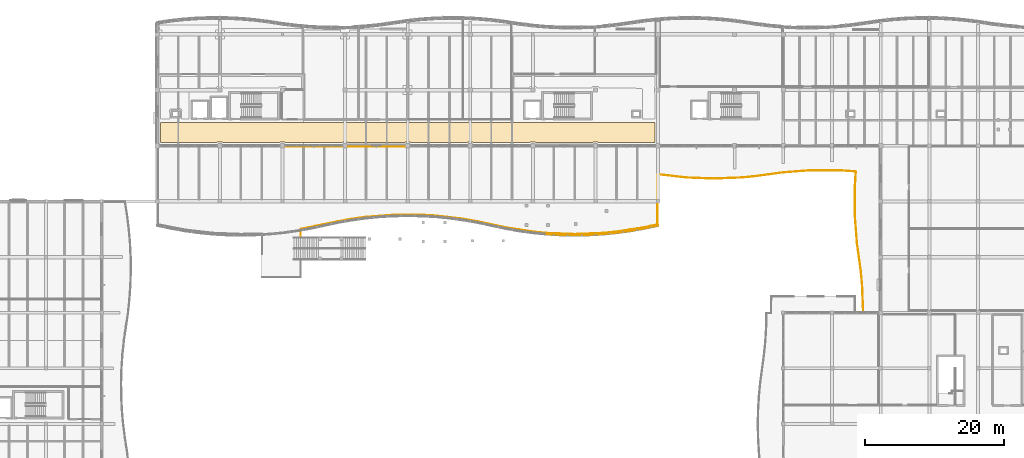
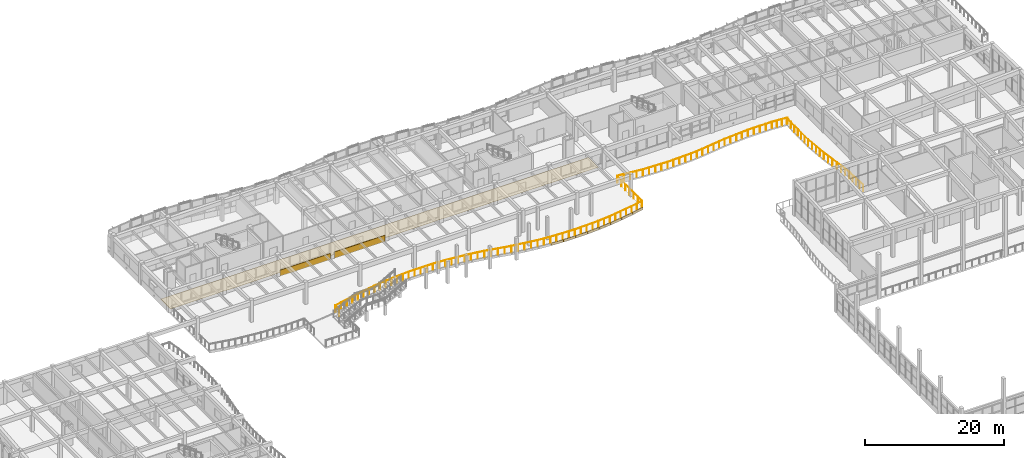
# One storey, part 83 of 89: 11 coverings, 1 railing.
"""IFC4 building model written with IfcOpenShell, lengths in metres."""

from ifc_helpers import new_model, si_unit, direction, frame, origin, origin_2d, place, context, subcontext, project, spatial, polyline, circle, outline, extrude, material, layer, layer_set, type_object, element, save


model = new_model("IFC4")

# Units and contexts
model_context = context("Model", 3, precision=1e-05, world=origin(), true_north=direction((0.0, 1.0)))
body_context = subcontext(model_context, "Body", "Model", "MODEL_VIEW")
ifc_project = project(units=[si_unit("LENGTHUNIT", "METRE"), si_unit("AREAUNIT", "SQUARE_METRE"), si_unit("VOLUMEUNIT", "CUBIC_METRE"), si_unit("PLANEANGLEUNIT", "RADIAN"), si_unit("MASSUNIT", "GRAM", prefix="KILO")], contexts=[model_context])

# Site, building, storey
site_placement = place(None, origin())
site = spatial("IfcSite", under=ifc_project, at=site_placement, CompositionType="ELEMENT")
building_placement = place(site_placement, origin())
building = spatial("IfcBuilding", under=site, at=building_placement, Name="Tonlespit Floodbar School", CompositionType="ELEMENT")
storey_placement = place(building_placement, frame((0.0, 0.0, 4.5)))
storey = spatial("IfcBuildingStorey", under=building, at=storey_placement, Name="L01", CompositionType="ELEMENT", Elevation=4.5)

# Railing
ifc_material_1 = material(Name="Galvanised Steel", Category="steel")
railing_type = type_object("IfcRailingType", Name="Balustrade_Ext_1150", PredefinedType="BALUSTRADE", material=ifc_material_1)
railing_placement = place(storey_placement, frame((145.489501953125, 80.25244140625, 0.0)))
element("IfcRailing", 1, at=railing_placement, inside=storey, type_object=railing_type, Name="L01 terrace balustrade 006", PredefinedType="BALUSTRADE", context=body_context, shape_type="SweptSolid", body=[
    extrude(circle(Radius=0.02392578125, at=origin_2d()), frame((0.0, 0.0, 1.1259765625), z_axis=(-0.038510568986, 0.999258192899, 0.0), x_axis=(-0.999258192899, -0.038510568986, 0.0)), (0.0, 0.0, 1.0), 3.7529296875),
    extrude(circle(Radius=0.02392578125, at=origin_2d()), frame((-0.14453125, 3.750244140625, 1.1259765625), z_axis=(-0.095998795483, 0.995381450131, 0.0), x_axis=(-0.995381450131, -0.095998795483, 0.0)), (0.0, 0.0, 1.0), 2.01416015625),
    extrude(circle(Radius=0.02392578125, at=origin_2d()), frame((-0.337890625, 5.755126953125, 1.1259765625), z_axis=(-0.134662562018, 0.990891514945, 0.0), x_axis=(-0.990891514945, -0.134662562018, 0.0)), (0.0, 0.0, 1.0), 4.03759765625),
    extrude(circle(Radius=0.02392578125, at=origin_2d()), frame((-0.881591796875, 9.755859375, 1.1259765625), z_axis=(-0.077027359577, 0.997028979457, 0.0), x_axis=(-0.997028979457, -0.077027359577, 0.0)), (0.0, 0.0, 1.0), 4.00634765625),
    extrude(circle(Radius=0.02392578125, at=origin_2d()), frame((-1.190185546875, 13.750244140625, 1.1259765625), z_axis=(0.0, 1.0, 0.0), x_axis=(-1.0, 0.0, 0.0)), (0.0, 0.0, 1.0), 3.99462890625),
    extrude(circle(Radius=0.02392578125, at=origin_2d()), frame((-1.190185546875, 17.744873046875, 1.1259765625), z_axis=(0.059388521497, 0.998234944046, 0.0), x_axis=(-0.998234944046, 0.059388521497, 0.0)), (0.0, 0.0, 1.0), 2.211669921875),
    extrude(circle(Radius=0.02392578125, at=origin_2d()), frame((-1.058837890625, 19.95263671875, 1.1259765625), z_axis=(-0.355374327061, 0.934724070336, 0.0), x_axis=(-0.934724070336, -0.355374327061, 0.0)), (0.0, 0.0, 1.0), 0.081787109375),
    extrude(circle(Radius=0.02392578125, at=origin_2d()), frame((-1.087890625, 20.029052734375, 1.1259765625), z_axis=(-0.997222376048, 0.074481760917, 0.0), x_axis=(-0.074481760917, -0.997222376048, 0.0)), (0.0, 0.0, 1.0), 2.402587890625),
    extrude(circle(Radius=0.02392578125, at=origin_2d()), frame((-3.48388671875, 20.2080078125, 1.1259765625), z_axis=(-0.999999998142, 6.0957025e-05, 0.0), x_axis=(-6.0957025e-05, -0.999999998142, 0.0)), (0.0, 0.0, 1.0), 4.005126953125),
    extrude(circle(Radius=0.02392578125, at=origin_2d()), frame((-7.489013671875, 20.208251953125, 1.1259765625), z_axis=(-0.997036586293, -0.076928834608, 0.0), x_axis=(0.076928834608, -0.997036586293, 0.0)), (0.0, 0.0, 1.0), 4.017822265625),
    extrude(circle(Radius=0.02392578125, at=origin_2d()), frame((-11.494873046875, 19.899169921875, 1.1259765625), z_axis=(-0.990895505048, -0.134633198271, 0.0), x_axis=(0.134633198271, -0.990895505048, 0.0)), (0.0, 0.0, 1.0), 4.040283203125),
    extrude(circle(Radius=0.02392578125, at=origin_2d()), frame((-15.498291015625, 19.355224609375, 1.1259765625), z_axis=(-0.995364310422, -0.096176346041, 0.0), x_axis=(0.096176346041, -0.995364310422, 0.0)), (0.0, 0.0, 1.0), 2.00537109375),
    extrude(circle(Radius=0.02392578125, at=origin_2d()), frame((-17.494384765625, 19.162353515625, 1.1259765625), z_axis=(-0.999259549965, -0.038475340208, 0.0), x_axis=(0.038475340208, -0.999259549965, 0.0)), (0.0, 0.0, 1.0), 3.99755859375),
    extrude(circle(Radius=0.02392578125, at=origin_2d()), frame((-21.489013671875, 19.008544921875, 1.1259765625), z_axis=(-0.999259278666, 0.038482385571, 0.0), x_axis=(-0.038482385571, -0.999259278666, 0.0)), (0.0, 0.0, 1.0), 3.996826171875),
    extrude(circle(Radius=0.02392578125, at=origin_2d()), frame((-25.48291015625, 19.162353515625, 1.1259765625), z_axis=(-0.993309170663, 0.115485460021, 0.0), x_axis=(-0.115485460021, -0.993309170663, 0.0)), (0.0, 0.0, 1.0), 4.001953125),
    extrude(circle(Radius=0.02392578125, at=origin_2d()), frame((-29.4580078125, 19.62451171875, 1.1259765625), z_axis=(-0.954264796042, -0.298962705089, 0.0), x_axis=(0.298962705089, -0.954264796042, 0.0)), (0.0, 0.0, 1.0), 0.080810546875),
    extrude(circle(Radius=0.02392578125, at=origin_2d()), frame((-29.53515625, 19.600341796875, 1.1259765625), z_axis=(-0.416248064888, -0.909251092096, 0.0), x_axis=(0.909251092096, -0.416248064888, 0.0)), (0.0, 0.0, 1.0), 0.082763671875),
    extrude(circle(Radius=0.02392578125, at=origin_2d()), frame((-29.569580078125, 19.525146484375, 1.1259765625), z_axis=(0.0, -1.0, 0.0), x_axis=(1.0, 0.0, 0.0)), (0.0, 0.0, 1.0), 7.112548828125),
    extrude(circle(Radius=0.02392578125, at=origin_2d()), frame((-29.569580078125, 12.41259765625, 1.1259765625), z_axis=(-0.977288665484, -0.211912397741, 0.0), x_axis=(0.211912397741, -0.977288665484, 0.0)), (0.0, 0.0, 1.0), 1.979248046875),
    extrude(circle(Radius=0.02392578125, at=origin_2d()), frame((-31.50390625, 11.9931640625, 1.1259765625), z_axis=(-0.988085881964, -0.153903508288, 0.0), x_axis=(0.153903508288, -0.988085881964, 0.0)), (0.0, 0.0, 1.0), 4.04345703125),
    extrude(circle(Radius=0.02392578125, at=origin_2d()), frame((-35.499267578125, 11.370849609375, 1.1259765625), z_axis=(-0.995360930273, -0.096211322026, 0.0), x_axis=(0.096211322026, -0.995360930273, 0.0)), (0.0, 0.0, 1.0), 2.004638671875),
    extrude(circle(Radius=0.02392578125, at=origin_2d()), frame((-37.49462890625, 11.177978515625, 1.1259765625), z_axis=(-0.999259459549, -0.038477688376, 0.0), x_axis=(0.038477688376, -0.999259459549, 0.0)), (0.0, 0.0, 1.0), 3.997314453125),
    extrude(circle(Radius=0.02392578125, at=origin_2d()), frame((-41.489013671875, 11.024169921875, 1.1259765625), z_axis=(-0.999259640365, 0.038472992326, 0.0), x_axis=(-0.038472992326, -0.999259640365, 0.0)), (0.0, 0.0, 1.0), 3.997802734375),
    extrude(circle(Radius=0.02392578125, at=origin_2d()), frame((-45.48388671875, 11.177978515625, 1.1259765625), z_axis=(-0.995360930273, 0.096211322026, 0.0), x_axis=(-0.096211322026, -0.995360930273, 0.0)), (0.0, 0.0, 1.0), 2.004638671875),
    extrude(circle(Radius=0.02392578125, at=origin_2d()), frame((-47.479248046875, 11.370849609375, 1.1259765625), z_axis=(-0.988085881964, 0.153903508288, 0.0), x_axis=(-0.153903508288, -0.988085881964, 0.0)), (0.0, 0.0, 1.0), 4.04345703125),
    extrude(circle(Radius=0.02392578125, at=origin_2d()), frame((-51.474609375, 11.9931640625, 1.1259765625), z_axis=(-0.977356480561, 0.211599409038, 0.0), x_axis=(-0.211599409038, -0.977356480561, 0.0)), (0.0, 0.0, 1.0), 4.090087890625),
    extrude(circle(Radius=0.02392578125, at=origin_2d()), frame((-55.47216796875, 12.858642578125, 1.1259765625), z_axis=(-0.984901770092, 0.173114133651, 0.0), x_axis=(-0.173114133651, -0.984901770092, 0.0)), (0.0, 0.0, 1.0), 2.03369140625),
    extrude(circle(Radius=0.02392578125, at=origin_2d()), frame((-57.47509765625, 13.210693359375, 1.1259765625), z_axis=(-0.993302693975, 0.115541153454, 0.0), x_axis=(-0.115541153454, -0.993302693975, 0.0)), (0.0, 0.0, 1.0), 4.03173828125),
    extrude(circle(Radius=0.02392578125, at=origin_2d()), frame((-61.479736328125, 13.676513671875, 1.1259765625), z_axis=(-0.998330921541, 0.057752671749, 0.0), x_axis=(-0.057752671749, -0.998330921541, 0.0)), (0.0, 0.0, 1.0), 2.008056640625),
    extrude(circle(Radius=0.02392578125, at=origin_2d()), frame((-63.484375, 13.79248046875, 1.1259765625), z_axis=(-0.999999998141, 6.0968174e-05, 0.0), x_axis=(-6.0968174e-05, -0.999999998141, 0.0)), (0.0, 0.0, 1.0), 4.00439453125),
    extrude(circle(Radius=0.02392578125, at=origin_2d()), frame((-67.48876953125, 13.792724609375, 1.1259765625), z_axis=(-0.997037305385, -0.076919514236, 0.0), x_axis=(0.076919514236, -0.997037305385, 0.0)), (0.0, 0.0, 1.0), 4.018310546875),
    extrude(circle(Radius=0.02392578125, at=origin_2d()), frame((-71.4951171875, 13.483642578125, 1.1259765625), z_axis=(-0.990907836779, -0.134542405992, 0.0), x_axis=(0.134542405992, -0.990907836779, 0.0)), (0.0, 0.0, 1.0), 2.023193359375),
    extrude(circle(Radius=0.02392578125, at=origin_2d()), frame((-73.5, 13.21142578125, 1.1259765625), z_axis=(-0.984905367215, -0.173093667218, 0.0), x_axis=(0.173093667218, -0.984905367215, 0.0)), (0.0, 0.0, 1.0), 2.033935546875),
    extrude(circle(Radius=0.02392578125, at=origin_2d()), frame((-75.503173828125, 12.859375, 1.1259765625), z_axis=(-0.979333378301, -0.202252649292, 0.0), x_axis=(0.202252649292, -0.979333378301, 0.0)), (0.0, 0.0, 1.0), 5.398193359375),
    extrude(circle(Radius=0.02392578125, at=origin_2d()), frame((-80.789794921875, 11.767578125, 1.1259765625), z_axis=(-0.811704740968, -0.584067987044, 0.0), x_axis=(0.584067987044, -0.811704740968, 0.0)), (0.0, 0.0, 1.0), 0.08154296875),
    extrude(circle(Radius=0.02392578125, at=origin_2d()), frame((-80.85595703125, 11.719970703125, 1.1259765625), z_axis=(-0.011857726004, -0.999929694696, 0.0), x_axis=(0.999929694696, -0.011857726004, 0.0)), (0.0, 0.0, 1.0), 1.13232421875),
    extrude(circle(Radius=0.02099609375, at=origin_2d()), origin(), (0.0, 0.0, 1.0), 1.101806640625),
    extrude(circle(Radius=0.02099609375, at=origin_2d()), frame((-0.0361328125, 0.9375, 0.0)), (0.0, 0.0, 1.0), 1.101806640625),
    extrude(circle(Radius=0.02099609375, at=origin_2d()), frame((-0.072265625, 1.875, 0.0)), (0.0, 0.0, 1.0), 1.101806640625),
    extrude(circle(Radius=0.02099609375, at=origin_2d()), frame((-0.1083984375, 2.812744140625, 0.0)), (0.0, 0.0, 1.0), 1.101806640625),
    extrude(circle(Radius=0.02099609375, at=origin_2d()), frame((-0.14453125, 3.750244140625, 0.0)), (0.0, 0.0, 1.0), 1.101806640625),
    extrude(circle(Radius=0.02099609375, at=origin_2d()), frame((-0.2412109375, 4.752685546875, 0.0)), (0.0, 0.0, 1.0), 1.101806640625),
    extrude(circle(Radius=0.02099609375, at=origin_2d()), frame((-0.337890625, 5.755126953125, 0.0)), (0.0, 0.0, 1.0), 1.101806640625),
    extrude(circle(Radius=0.02099609375, at=origin_2d()), frame((-0.473876953125, 6.75537109375, 0.0)), (0.0, 0.0, 1.0), 1.101806640625),
    extrude(circle(Radius=0.02099609375, at=origin_2d()), frame((-0.60986328125, 7.75537109375, 0.0)), (0.0, 0.0, 1.0), 1.101806640625),
    extrude(circle(Radius=0.02099609375, at=origin_2d()), frame((-0.74560546875, 8.755615234375, 0.0)), (0.0, 0.0, 1.0), 1.101806640625),
    extrude(circle(Radius=0.02099609375, at=origin_2d()), frame((-0.881591796875, 9.755859375, 0.0)), (0.0, 0.0, 1.0), 1.101806640625),
    extrude(circle(Radius=0.02099609375, at=origin_2d()), frame((-0.958740234375, 10.75439453125, 0.0)), (0.0, 0.0, 1.0), 1.101806640625),
    extrude(circle(Radius=0.02099609375, at=origin_2d()), frame((-1.035888671875, 11.7529296875, 0.0)), (0.0, 0.0, 1.0), 1.101806640625),
    extrude(circle(Radius=0.02099609375, at=origin_2d()), frame((-1.113037109375, 12.751708984375, 0.0)), (0.0, 0.0, 1.0), 1.101806640625),
    extrude(circle(Radius=0.02099609375, at=origin_2d()), frame((-1.190185546875, 13.750244140625, 0.0)), (0.0, 0.0, 1.0), 1.101806640625),
    extrude(circle(Radius=0.02099609375, at=origin_2d()), frame((-1.190185546875, 14.7490234375, 0.0)), (0.0, 0.0, 1.0), 1.101806640625),
    extrude(circle(Radius=0.02099609375, at=origin_2d()), frame((-1.190185546875, 15.74755859375, 0.0)), (0.0, 0.0, 1.0), 1.101806640625),
    extrude(circle(Radius=0.02099609375, at=origin_2d()), frame((-1.190185546875, 16.74609375, 0.0)), (0.0, 0.0, 1.0), 1.101806640625),
    extrude(circle(Radius=0.02099609375, at=origin_2d()), frame((-1.190185546875, 17.744873046875, 0.0)), (0.0, 0.0, 1.0), 1.101806640625),
    extrude(circle(Radius=0.02099609375, at=origin_2d()), frame((-1.12451171875, 18.8486328125, 0.0)), (0.0, 0.0, 1.0), 1.101806640625),
    extrude(circle(Radius=0.02099609375, at=origin_2d()), frame((-1.058837890625, 19.95263671875, 0.0)), (0.0, 0.0, 1.0), 1.101806640625),
    extrude(circle(Radius=0.02099609375, at=origin_2d()), frame((-1.087890625, 20.029052734375, 0.0)), (0.0, 0.0, 1.0), 1.101806640625),
    extrude(circle(Radius=0.02099609375, at=origin_2d()), frame((-1.886474609375, 20.088623046875, 0.0)), (0.0, 0.0, 1.0), 1.101806640625),
    extrude(circle(Radius=0.02099609375, at=origin_2d()), frame((-2.685302734375, 20.1484375, 0.0)), (0.0, 0.0, 1.0), 1.101806640625),
    extrude(circle(Radius=0.02099609375, at=origin_2d()), frame((-3.48388671875, 20.2080078125, 0.0)), (0.0, 0.0, 1.0), 1.101806640625),
    extrude(circle(Radius=0.02099609375, at=origin_2d()), frame((-4.485107421875, 20.2080078125, 0.0)), (0.0, 0.0, 1.0), 1.101806640625),
    extrude(circle(Radius=0.02099609375, at=origin_2d()), frame((-5.486328125, 20.2080078125, 0.0)), (0.0, 0.0, 1.0), 1.101806640625),
    extrude(circle(Radius=0.02099609375, at=origin_2d()), frame((-6.48779296875, 20.208251953125, 0.0)), (0.0, 0.0, 1.0), 1.101806640625),
    extrude(circle(Radius=0.02099609375, at=origin_2d()), frame((-7.489013671875, 20.208251953125, 0.0)), (0.0, 0.0, 1.0), 1.101806640625),
    extrude(circle(Radius=0.02099609375, at=origin_2d()), frame((-8.490478515625, 20.130859375, 0.0)), (0.0, 0.0, 1.0), 1.101806640625),
    extrude(circle(Radius=0.02099609375, at=origin_2d()), frame((-9.491943359375, 20.0537109375, 0.0)), (0.0, 0.0, 1.0), 1.101806640625),
    extrude(circle(Radius=0.02099609375, at=origin_2d()), frame((-10.493408203125, 19.9765625, 0.0)), (0.0, 0.0, 1.0), 1.101806640625),
    extrude(circle(Radius=0.02099609375, at=origin_2d()), frame((-11.494873046875, 19.899169921875, 0.0)), (0.0, 0.0, 1.0), 1.101806640625),
    extrude(circle(Radius=0.02099609375, at=origin_2d()), frame((-12.49560546875, 19.76318359375, 0.0)), (0.0, 0.0, 1.0), 1.101806640625),
    extrude(circle(Radius=0.02099609375, at=origin_2d()), frame((-13.49658203125, 19.627197265625, 0.0)), (0.0, 0.0, 1.0), 1.101806640625),
    extrude(circle(Radius=0.02099609375, at=origin_2d()), frame((-14.49755859375, 19.4912109375, 0.0)), (0.0, 0.0, 1.0), 1.101806640625),
    extrude(circle(Radius=0.02099609375, at=origin_2d()), frame((-15.498291015625, 19.355224609375, 0.0)), (0.0, 0.0, 1.0), 1.101806640625),
    extrude(circle(Radius=0.02099609375, at=origin_2d()), frame((-16.496337890625, 19.2587890625, 0.0)), (0.0, 0.0, 1.0), 1.101806640625),
    extrude(circle(Radius=0.02099609375, at=origin_2d()), frame((-17.494384765625, 19.162353515625, 0.0)), (0.0, 0.0, 1.0), 1.101806640625),
    extrude(circle(Radius=0.02099609375, at=origin_2d()), frame((-18.4931640625, 19.1240234375, 0.0)), (0.0, 0.0, 1.0), 1.101806640625),
    extrude(circle(Radius=0.02099609375, at=origin_2d()), frame((-19.49169921875, 19.08544921875, 0.0)), (0.0, 0.0, 1.0), 1.101806640625),
    extrude(circle(Radius=0.02099609375, at=origin_2d()), frame((-20.490234375, 19.046875, 0.0)), (0.0, 0.0, 1.0), 1.101806640625),
    extrude(circle(Radius=0.02099609375, at=origin_2d()), frame((-21.489013671875, 19.008544921875, 0.0)), (0.0, 0.0, 1.0), 1.101806640625),
    extrude(circle(Radius=0.02099609375, at=origin_2d()), frame((-22.487548828125, 19.046875, 0.0)), (0.0, 0.0, 1.0), 1.101806640625),
    extrude(circle(Radius=0.02099609375, at=origin_2d()), frame((-23.48583984375, 19.08544921875, 0.0)), (0.0, 0.0, 1.0), 1.101806640625),
    extrude(circle(Radius=0.02099609375, at=origin_2d()), frame((-24.484375, 19.1240234375, 0.0)), (0.0, 0.0, 1.0), 1.101806640625),
    extrude(circle(Radius=0.02099609375, at=origin_2d()), frame((-25.48291015625, 19.162353515625, 0.0)), (0.0, 0.0, 1.0), 1.101806640625),
    extrude(circle(Radius=0.02099609375, at=origin_2d()), frame((-26.4765625, 19.27783203125, 0.0)), (0.0, 0.0, 1.0), 1.101806640625),
    extrude(circle(Radius=0.02099609375, at=origin_2d()), frame((-27.470458984375, 19.3935546875, 0.0)), (0.0, 0.0, 1.0), 1.101806640625),
    extrude(circle(Radius=0.02099609375, at=origin_2d()), frame((-28.46435546875, 19.509033203125, 0.0)), (0.0, 0.0, 1.0), 1.101806640625),
    extrude(circle(Radius=0.02099609375, at=origin_2d()), frame((-29.4580078125, 19.62451171875, 0.0)), (0.0, 0.0, 1.0), 1.101806640625),
    extrude(circle(Radius=0.02099609375, at=origin_2d()), frame((-29.53515625, 19.600341796875, 0.0)), (0.0, 0.0, 1.0), 1.101806640625),
    extrude(circle(Radius=0.02099609375, at=origin_2d()), frame((-29.569580078125, 19.525146484375, 0.0)), (0.0, 0.0, 1.0), 1.101806640625),
    extrude(circle(Radius=0.02099609375, at=origin_2d()), frame((-29.569580078125, 18.33984375, 0.0)), (0.0, 0.0, 1.0), 1.101806640625),
    extrude(circle(Radius=0.02099609375, at=origin_2d()), frame((-29.569580078125, 17.154296875, 0.0)), (0.0, 0.0, 1.0), 1.101806640625),
    extrude(circle(Radius=0.02099609375, at=origin_2d()), frame((-29.569580078125, 15.96875, 0.0)), (0.0, 0.0, 1.0), 1.101806640625),
    extrude(circle(Radius=0.02099609375, at=origin_2d()), frame((-29.569580078125, 14.783447265625, 0.0)), (0.0, 0.0, 1.0), 1.101806640625),
    extrude(circle(Radius=0.02099609375, at=origin_2d()), frame((-29.569580078125, 13.59814453125, 0.0)), (0.0, 0.0, 1.0), 1.101806640625),
    extrude(circle(Radius=0.02099609375, at=origin_2d()), frame((-29.569580078125, 12.41259765625, 0.0)), (0.0, 0.0, 1.0), 1.101806640625),
    extrude(circle(Radius=0.02099609375, at=origin_2d()), frame((-30.53662109375, 12.202880859375, 0.0)), (0.0, 0.0, 1.0), 1.101806640625),
    extrude(circle(Radius=0.02099609375, at=origin_2d()), frame((-31.50390625, 11.9931640625, 0.0)), (0.0, 0.0, 1.0), 1.101806640625),
    extrude(circle(Radius=0.02099609375, at=origin_2d()), frame((-32.502685546875, 11.837646484375, 0.0)), (0.0, 0.0, 1.0), 1.101806640625),
    extrude(circle(Radius=0.02099609375, at=origin_2d()), frame((-33.50146484375, 11.68212890625, 0.0)), (0.0, 0.0, 1.0), 1.101806640625),
    extrude(circle(Radius=0.02099609375, at=origin_2d()), frame((-34.50048828125, 11.5263671875, 0.0)), (0.0, 0.0, 1.0), 1.101806640625),
    extrude(circle(Radius=0.02099609375, at=origin_2d()), frame((-35.499267578125, 11.370849609375, 0.0)), (0.0, 0.0, 1.0), 1.101806640625),
    extrude(circle(Radius=0.02099609375, at=origin_2d()), frame((-36.4970703125, 11.2744140625, 0.0)), (0.0, 0.0, 1.0), 1.101806640625),
    extrude(circle(Radius=0.02099609375, at=origin_2d()), frame((-37.49462890625, 11.177978515625, 0.0)), (0.0, 0.0, 1.0), 1.101806640625),
    extrude(circle(Radius=0.02099609375, at=origin_2d()), frame((-38.4931640625, 11.1396484375, 0.0)), (0.0, 0.0, 1.0), 1.101806640625),
    extrude(circle(Radius=0.02099609375, at=origin_2d()), frame((-39.49169921875, 11.10107421875, 0.0)), (0.0, 0.0, 1.0), 1.101806640625),
    extrude(circle(Radius=0.02099609375, at=origin_2d()), frame((-40.490478515625, 11.0625, 0.0)), (0.0, 0.0, 1.0), 1.101806640625),
    extrude(circle(Radius=0.02099609375, at=origin_2d()), frame((-41.489013671875, 11.024169921875, 0.0)), (0.0, 0.0, 1.0), 1.101806640625),
    extrude(circle(Radius=0.02099609375, at=origin_2d()), frame((-42.48779296875, 11.0625, 0.0)), (0.0, 0.0, 1.0), 1.101806640625),
    extrude(circle(Radius=0.02099609375, at=origin_2d()), frame((-43.486328125, 11.10107421875, 0.0)), (0.0, 0.0, 1.0), 1.101806640625),
    extrude(circle(Radius=0.02099609375, at=origin_2d()), frame((-44.485107421875, 11.1396484375, 0.0)), (0.0, 0.0, 1.0), 1.101806640625),
    extrude(circle(Radius=0.02099609375, at=origin_2d()), frame((-45.48388671875, 11.177978515625, 0.0)), (0.0, 0.0, 1.0), 1.101806640625),
    extrude(circle(Radius=0.02099609375, at=origin_2d()), frame((-46.4814453125, 11.2744140625, 0.0)), (0.0, 0.0, 1.0), 1.101806640625),
    extrude(circle(Radius=0.02099609375, at=origin_2d()), frame((-47.479248046875, 11.370849609375, 0.0)), (0.0, 0.0, 1.0), 1.101806640625),
    extrude(circle(Radius=0.02099609375, at=origin_2d()), frame((-48.47802734375, 11.5263671875, 0.0)), (0.0, 0.0, 1.0), 1.101806640625),
    extrude(circle(Radius=0.02099609375, at=origin_2d()), frame((-49.47705078125, 11.68212890625, 0.0)), (0.0, 0.0, 1.0), 1.101806640625),
    extrude(circle(Radius=0.02099609375, at=origin_2d()), frame((-50.475830078125, 11.837646484375, 0.0)), (0.0, 0.0, 1.0), 1.101806640625),
    extrude(circle(Radius=0.02099609375, at=origin_2d()), frame((-51.474609375, 11.9931640625, 0.0)), (0.0, 0.0, 1.0), 1.101806640625),
    extrude(circle(Radius=0.02099609375, at=origin_2d()), frame((-52.47412109375, 12.20947265625, 0.0)), (0.0, 0.0, 1.0), 1.101806640625),
    extrude(circle(Radius=0.02099609375, at=origin_2d()), frame((-53.473388671875, 12.42578125, 0.0)), (0.0, 0.0, 1.0), 1.101806640625),
    extrude(circle(Radius=0.02099609375, at=origin_2d()), frame((-54.47265625, 12.642333984375, 0.0)), (0.0, 0.0, 1.0), 1.101806640625),
    extrude(circle(Radius=0.02099609375, at=origin_2d()), frame((-55.47216796875, 12.858642578125, 0.0)), (0.0, 0.0, 1.0), 1.101806640625),
    extrude(circle(Radius=0.02099609375, at=origin_2d()), frame((-56.4736328125, 13.03466796875, 0.0)), (0.0, 0.0, 1.0), 1.101806640625),
    extrude(circle(Radius=0.02099609375, at=origin_2d()), frame((-57.47509765625, 13.210693359375, 0.0)), (0.0, 0.0, 1.0), 1.101806640625),
    extrude(circle(Radius=0.02099609375, at=origin_2d()), frame((-58.476318359375, 13.3271484375, 0.0)), (0.0, 0.0, 1.0), 1.101806640625),
    extrude(circle(Radius=0.02099609375, at=origin_2d()), frame((-59.4775390625, 13.443603515625, 0.0)), (0.0, 0.0, 1.0), 1.101806640625),
    extrude(circle(Radius=0.02099609375, at=origin_2d()), frame((-60.478515625, 13.56005859375, 0.0)), (0.0, 0.0, 1.0), 1.101806640625),
    extrude(circle(Radius=0.02099609375, at=origin_2d()), frame((-61.479736328125, 13.676513671875, 0.0)), (0.0, 0.0, 1.0), 1.101806640625),
    extrude(circle(Radius=0.02099609375, at=origin_2d()), frame((-62.48193359375, 13.734375, 0.0)), (0.0, 0.0, 1.0), 1.101806640625),
    extrude(circle(Radius=0.02099609375, at=origin_2d()), frame((-63.484375, 13.79248046875, 0.0)), (0.0, 0.0, 1.0), 1.101806640625),
    extrude(circle(Radius=0.02099609375, at=origin_2d()), frame((-64.4853515625, 13.79248046875, 0.0)), (0.0, 0.0, 1.0), 1.101806640625),
    extrude(circle(Radius=0.02099609375, at=origin_2d()), frame((-65.486572265625, 13.79248046875, 0.0)), (0.0, 0.0, 1.0), 1.101806640625),
    extrude(circle(Radius=0.02099609375, at=origin_2d()), frame((-66.48779296875, 13.792724609375, 0.0)), (0.0, 0.0, 1.0), 1.101806640625),
    extrude(circle(Radius=0.02099609375, at=origin_2d()), frame((-67.48876953125, 13.792724609375, 0.0)), (0.0, 0.0, 1.0), 1.101806640625),
    extrude(circle(Radius=0.02099609375, at=origin_2d()), frame((-68.490234375, 13.71533203125, 0.0)), (0.0, 0.0, 1.0), 1.101806640625),
    extrude(circle(Radius=0.02099609375, at=origin_2d()), frame((-69.491943359375, 13.63818359375, 0.0)), (0.0, 0.0, 1.0), 1.101806640625),
    extrude(circle(Radius=0.02099609375, at=origin_2d()), frame((-70.49365234375, 13.56103515625, 0.0)), (0.0, 0.0, 1.0), 1.101806640625),
    extrude(circle(Radius=0.02099609375, at=origin_2d()), frame((-71.4951171875, 13.483642578125, 0.0)), (0.0, 0.0, 1.0), 1.101806640625),
    extrude(circle(Radius=0.02099609375, at=origin_2d()), frame((-72.49755859375, 13.34765625, 0.0)), (0.0, 0.0, 1.0), 1.101806640625),
    extrude(circle(Radius=0.02099609375, at=origin_2d()), frame((-73.5, 13.21142578125, 0.0)), (0.0, 0.0, 1.0), 1.101806640625),
    extrude(circle(Radius=0.02099609375, at=origin_2d()), frame((-74.50146484375, 13.035400390625, 0.0)), (0.0, 0.0, 1.0), 1.101806640625),
    extrude(circle(Radius=0.02099609375, at=origin_2d()), frame((-75.503173828125, 12.859375, 0.0)), (0.0, 0.0, 1.0), 1.101806640625),
    extrude(circle(Radius=0.02099609375, at=origin_2d()), frame((-76.560546875, 12.64111328125, 0.0)), (0.0, 0.0, 1.0), 1.101806640625),
    extrude(circle(Radius=0.02099609375, at=origin_2d()), frame((-77.617919921875, 12.422607421875, 0.0)), (0.0, 0.0, 1.0), 1.101806640625),
    extrude(circle(Radius=0.02099609375, at=origin_2d()), frame((-78.675048828125, 12.204345703125, 0.0)), (0.0, 0.0, 1.0), 1.101806640625),
    extrude(circle(Radius=0.02099609375, at=origin_2d()), frame((-79.732421875, 11.98583984375, 0.0)), (0.0, 0.0, 1.0), 1.101806640625),
    extrude(circle(Radius=0.02099609375, at=origin_2d()), frame((-80.789794921875, 11.767578125, 0.0)), (0.0, 0.0, 1.0), 1.101806640625),
    extrude(circle(Radius=0.02099609375, at=origin_2d()), frame((-80.85595703125, 11.719970703125, 0.0)), (0.0, 0.0, 1.0), 1.101806640625),
    extrude(circle(Radius=0.02099609375, at=origin_2d()), frame((-80.869384765625, 10.587646484375, 0.0)), (0.0, 0.0, 1.0), 1.101806640625),
])

# Coverings
ifc_material_2 = material(Name="White Architectural Aluminium", Category="aluminium")
ifc_layer_1 = layer(ifc_material_2, 0.050048828125)
ifc_layer_set_1 = layer_set([ifc_layer_1], Name="White Architectural Aluminium")
covering_type_1 = type_object("IfcCoveringType", Name="Cladding_WhiteBand_50", PredefinedType="CLADDING", material=ifc_layer_set_1)
covering_1_placement = place(storey_placement, frame((0.0, 0.0, -0.1201171875)))
element("IfcCovering", 2, at=covering_1_placement, inside=storey, type_object=covering_type_1, Name="L01 curved white spandrel cladding 0088", PredefinedType="CLADDING", context=body_context, shape_type="SweptSolid", body=[
    extrude(outline(polyline([(79.699951171875, 103.8798828125), (71.300048828125, 103.8798828125), (71.300048828125, 103.830078125), (79.699951171875, 103.830078125), (79.699951171875, 103.8798828125)])), origin(), (0.0, 0.0, 1.0), 1.1201171875),
])
covering_2_placement = place(storey_placement, frame((0.0, 0.0, -0.1201171875)))
element("IfcCovering", 3, at=covering_2_placement, inside=storey, type_object=covering_type_1, Name="L01 curved white spandrel cladding 0089", PredefinedType="CLADDING", context=body_context, shape_type="SweptSolid", body=[
    extrude(outline(polyline([(70.699951171875, 103.89990234375), (62.300048828125, 103.89990234375), (62.300048828125, 103.85009765625), (70.699951171875, 103.85009765625), (70.699951171875, 103.89990234375)])), origin(), (0.0, 0.0, 1.0), 1.070068359375),
])
covering_3_placement = place(storey_placement, frame((0.0, 0.0, -0.300048828125)))
element("IfcCovering", 4, at=covering_3_placement, inside=storey, type_object=covering_type_1, Name="L01 curved white spandrel cladding 0123", PredefinedType="CLADDING", context=body_context, shape_type="SweptSolid", body=[
    extrude(outline(polyline([(100.0, 91.310546875), (102.0, 91.19482421875), (102.0, 91.14501953125), (100.0, 91.260498046875), (100.0, 91.310546875)])), origin(), (0.0, 0.0, 1.0), 0.420166015625),
])
covering_4_placement = place(storey_placement, frame((0.0, 0.0, -0.300048828125)))
element("IfcCovering", 5, at=covering_4_placement, inside=storey, type_object=covering_type_1, Name="L01 curved white spandrel cladding 0124", PredefinedType="CLADDING", context=body_context, shape_type="SweptSolid", body=[
    extrude(outline(polyline([(102.0, 91.19482421875), (104.0, 91.156494140625), (104.0, 91.1064453125), (102.0, 91.14501953125), (102.0, 91.19482421875)])), origin(), (0.0, 0.0, 1.0), 0.420166015625),
])
covering_5_placement = place(storey_placement, frame((0.0, 0.0, -0.300048828125)))
element("IfcCovering", 6, at=covering_5_placement, inside=storey, type_object=covering_type_1, Name="L01 curved white spandrel cladding 0125", PredefinedType="CLADDING", context=body_context, shape_type="SweptSolid", body=[
    extrude(outline(polyline([(104.0, 91.156494140625), (106.0, 91.19482421875), (106.0, 91.14501953125), (104.0, 91.1064453125), (104.0, 91.156494140625)])), origin(), (0.0, 0.0, 1.0), 0.420166015625),
])
covering_6_placement = place(storey_placement, frame((0.0, 0.0, -0.300048828125)))
element("IfcCovering", 7, at=covering_6_placement, inside=storey, type_object=covering_type_1, Name="L01 curved white spandrel cladding 0126", PredefinedType="CLADDING", context=body_context, shape_type="SweptSolid", body=[
    extrude(outline(polyline([(106.0, 91.19482421875), (108.0, 91.310546875), (108.0, 91.260498046875), (106.0, 91.14501953125), (106.0, 91.19482421875)])), origin(), (0.0, 0.0, 1.0), 0.420166015625),
])
covering_7_placement = place(storey_placement, frame((0.0, 0.0, -0.300048828125)))
element("IfcCovering", 8, at=covering_7_placement, inside=storey, type_object=covering_type_1, Name="L01 curved white spandrel cladding 0127", PredefinedType="CLADDING", context=body_context, shape_type="SweptSolid", body=[
    extrude(outline(polyline([(108.0, 91.310546875), (110.0, 91.50390625), (110.0, 91.453857421875), (108.0, 91.260498046875), (108.0, 91.310546875)])), origin(), (0.0, 0.0, 1.0), 0.420166015625),
])
covering_8_placement = place(storey_placement, frame((0.0, 0.0, -0.300048828125)))
element("IfcCovering", 9, at=covering_8_placement, inside=storey, type_object=covering_type_1, Name="L01 curved white spandrel cladding 0128", PredefinedType="CLADDING", context=body_context, shape_type="SweptSolid", body=[
    extrude(outline(polyline([(110.0, 91.50390625), (112.0, 91.775390625), (112.0, 91.7255859375), (110.0, 91.453857421875), (110.0, 91.50390625)])), origin(), (0.0, 0.0, 1.0), 0.420166015625),
])
covering_9_placement = place(storey_placement, frame((0.0, 0.0, -0.300048828125)))
element("IfcCovering", 10, at=covering_9_placement, inside=storey, type_object=covering_type_1, Name="L01 curved white spandrel cladding 0129", PredefinedType="CLADDING", context=body_context, shape_type="SweptSolid", body=[
    extrude(outline(polyline([(112.0, 91.775390625), (114.0, 92.126953125), (114.0, 92.076904296875), (112.0, 91.7255859375), (112.0, 91.775390625)])), origin(), (0.0, 0.0, 1.0), 0.420166015625),
])
covering_10_placement = place(storey_placement, frame((0.0, 0.0, -0.300048828125)))
element("IfcCovering", 11, at=covering_10_placement, inside=storey, type_object=covering_type_1, Name="L01 curved white spandrel cladding 0130", PredefinedType="CLADDING", context=body_context, shape_type="SweptSolid", body=[
    extrude(outline(polyline([(114.0, 92.126953125), (116.0, 92.56005859375), (116.0, 92.510009765625), (114.0, 92.076904296875), (114.0, 92.126953125)])), origin(), (0.0, 0.0, 1.0), 0.420166015625),
])
ifc_material_3 = material(Name="Terrazzo Tile")
ifc_layer_2 = layer(ifc_material_3, 0.02001953125)
ifc_layer_set_2 = layer_set([ifc_layer_2], Name="Terrazzo Tile")
covering_type_2 = type_object("IfcCoveringType", Name="Flooring_Terrazzo_20", PredefinedType="FLOORING", material=ifc_layer_set_2)
covering_11_placement = place(storey_placement, origin())
element("IfcCovering", 12, at=covering_11_placement, inside=storey, type_object=covering_type_2, Name="L01 Lower Primary Gallery Corridor terrazzo flooring", PredefinedType="FLOORING", context=body_context, shape_type="SweptSolid", body=[
    extrude(outline(polyline([(44.469970703125, 104.469970703125), (44.469970703125, 107.330078125), (115.530029296875, 107.330078125), (115.530029296875, 104.469970703125), (107.451904296875, 104.469970703125), (107.320068359375, 104.52001953125), (106.660400390625, 104.51904296875), (106.548095703125, 104.469970703125), (98.451904296875, 104.469970703125), (98.320068359375, 104.52001953125), (97.660400390625, 104.51904296875), (97.548095703125, 104.469970703125), (89.451904296875, 104.469970703125), (89.320068359375, 104.52001953125), (88.660400390625, 104.51904296875), (88.548095703125, 104.469970703125), (80.451904296875, 104.469970703125), (80.320068359375, 104.52001953125), (79.660400390625, 104.51904296875), (79.548095703125, 104.469970703125), (71.451904296875, 104.469970703125), (71.320068359375, 104.52001953125), (70.660400390625, 104.51904296875), (70.548095703125, 104.469970703125), (62.451904296875, 104.469970703125), (62.320068359375, 104.52001953125), (61.660400390625, 104.51904296875), (61.548095703125, 104.469970703125), (53.451904296875, 104.469970703125), (53.320068359375, 104.52001953125), (52.660400390625, 104.51904296875), (52.548095703125, 104.469970703125), (44.469970703125, 104.469970703125)])), origin(), (0.0, 0.0, 1.0), 0.02001953125),
])

save(model, "model.ifc")
